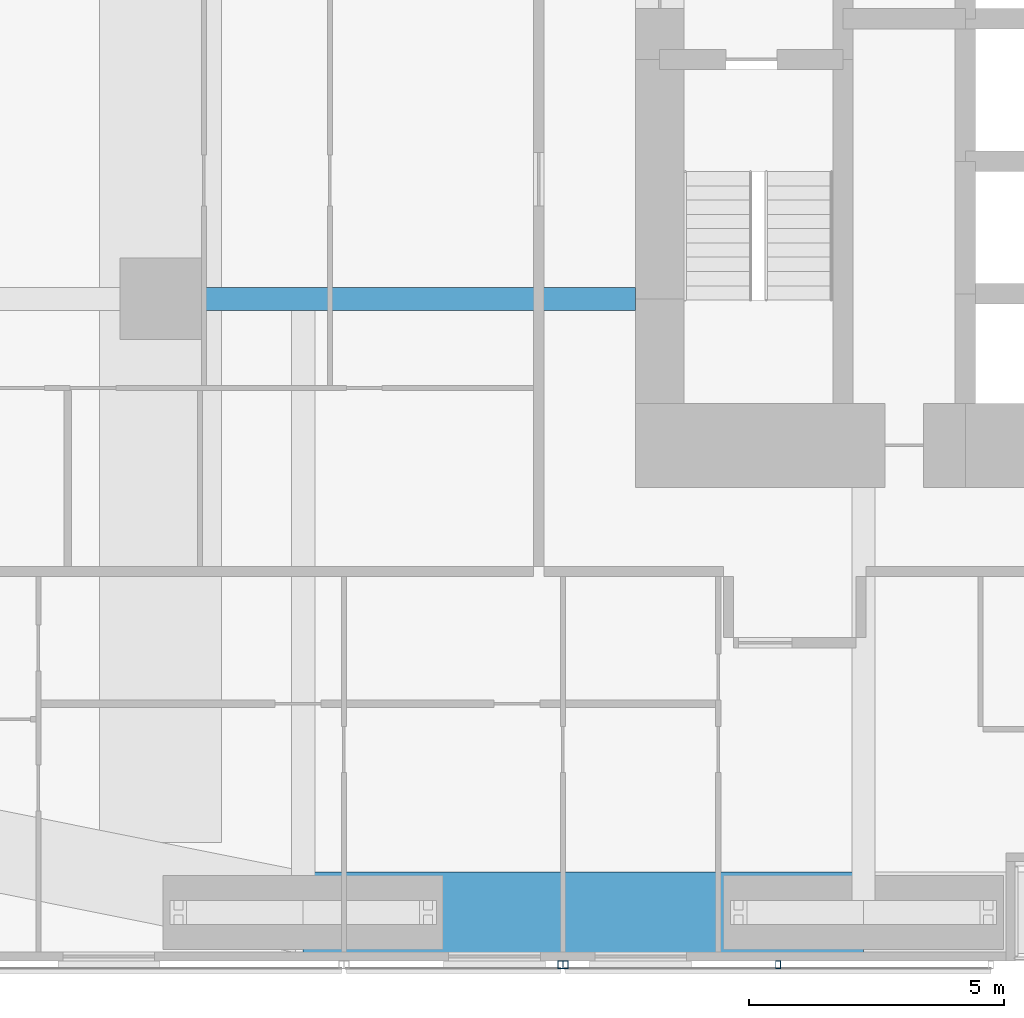
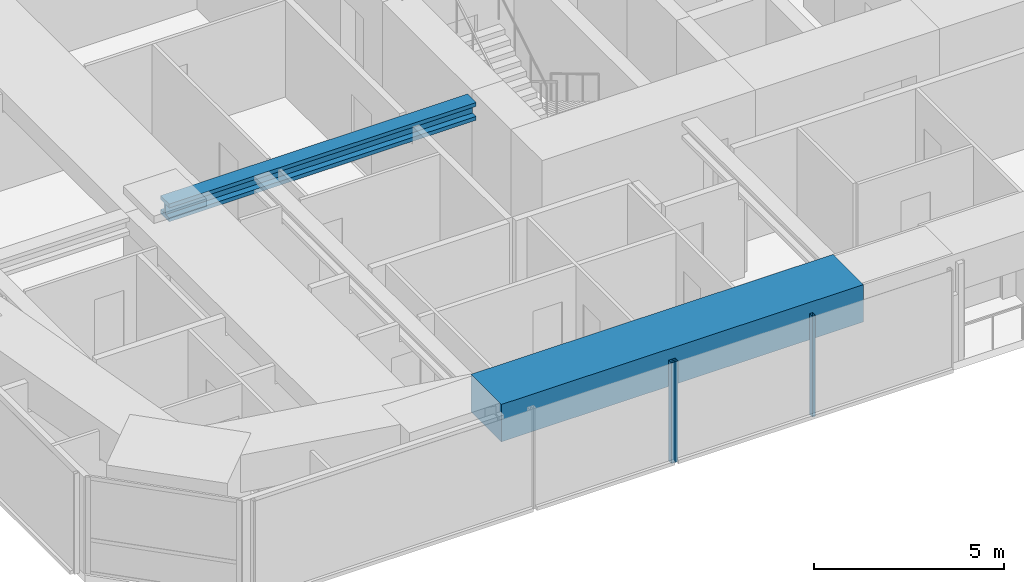
# One storey, part 4 of 24: 3 members, 2 beams, 2 elements without a shape of their own.
"""IFC4 building model written with IfcOpenShell, lengths in metres."""

import ifcopenshell
import ifcopenshell.guid

model = None  # the IFC model being written
_history = None  # IfcOwnerHistory: only IFC2X3 demands one
_inside = {}  # id of a spatial element -> (the spatial element, [elements in it])
_under = {}  # id of a project, library or spatial element -> (it, [spatial elements below it])
_declared = {}  # id of a project -> (the project, [libraries it declares])
_typed = {}  # id of a type object -> (the type object, [elements of that type])
_made_of = {}  # id of a material, layer set ... -> (it, [elements and type objects made of it])


def new_model(schema):
    """Start an empty IFC model of exactly this schema.

    Asked for "IFC4X3", IfcOpenShell would pick the latest addendum, in which some entities
    have other attributes; the version numbers below select the first issue.
    IFC2X3 requires an IfcOwnerHistory on every rooted entity: one is made here for all.
    """
    global model, _history
    if schema == "IFC4X3":
        model = ifcopenshell.file(schema_version=(4, 3, 0, 0))
    else:
        model = ifcopenshell.file(schema=schema)
    _inside.clear()
    _under.clear()
    _declared.clear()
    _typed.clear()
    _made_of.clear()
    _history = None
    if model.schema == "IFC2X3":
        org = make("IfcOrganization", Name="unknown")
        user = make(
            "IfcPersonAndOrganization",
            ThePerson=make("IfcPerson", FamilyName="unknown"),
            TheOrganization=org,
        )
        app = make(
            "IfcApplication",
            ApplicationDeveloper=org,
            Version="unknown",
            ApplicationFullName="unknown",
            ApplicationIdentifier="unknown",
        )
        _history = make(
            "IfcOwnerHistory",
            OwningUser=user,
            OwningApplication=app,
            ChangeAction="ADDED",
            CreationDate=0,
        )
    return model


def make(cls, **values):
    """One entity of the class cls with the attributes given. An attribute that is None is left unset."""
    return model.create_entity(
        cls, **{name: value for name, value in values.items() if value is not None}
    )


def rooted(cls, **values):
    """An entity with a GlobalId (a new one), such as an element, a storey or a relation."""
    return make(cls, GlobalId=ifcopenshell.guid.new(), OwnerHistory=_history, **values)


def si_unit(unit_type, name, prefix=None):
    """IfcSIUnit, for example si_unit("LENGTHUNIT", "METRE", prefix="MILLI")."""
    return make("IfcSIUnit", UnitType=unit_type, Prefix=prefix, Name=name)


def assignment(units):
    """IfcUnitAssignment: the units of a project."""
    return None if units is None else make("IfcUnitAssignment", Units=units)


def point(xyz):
    """IfcCartesianPoint."""
    return None if xyz is None else make("IfcCartesianPoint", Coordinates=xyz)


def direction(xyz):
    """IfcDirection."""
    return None if xyz is None else make("IfcDirection", DirectionRatios=xyz)


def frame(location, z_axis=None, x_axis=None):
    """IfcAxis2Placement3D, a coordinate frame: its origin and axes. An axis left out is left unset."""
    return make(
        "IfcAxis2Placement3D",
        Location=point(location),
        Axis=direction(z_axis),
        RefDirection=direction(x_axis),
    )


def frame_2d(location, x_axis=None):
    """IfcAxis2Placement2D, a coordinate frame in the plane: its origin and x axis."""
    return make(
        "IfcAxis2Placement2D", Location=point(location), RefDirection=direction(x_axis)
    )


def origin():
    """The frame at (0, 0, 0) with its axes left unset."""
    return frame((0.0, 0.0, 0.0))


def origin_2d():
    """The frame at (0, 0) in the plane with its x axis left unset."""
    return frame_2d((0.0, 0.0))


def place(relative_to, where):
    """IfcLocalPlacement: puts the frame where relative to a parent placement (None: the world)."""
    return make(
        "IfcLocalPlacement", PlacementRelTo=relative_to, RelativePlacement=where
    )


def context(
    kind, dimensions, precision=None, world=None, true_north=None, identifier=None
):
    """IfcGeometricRepresentationContext, for example the 3D "Model" context."""
    return make(
        "IfcGeometricRepresentationContext",
        ContextIdentifier=identifier,
        ContextType=kind,
        CoordinateSpaceDimension=dimensions,
        Precision=precision,
        WorldCoordinateSystem=world,
        TrueNorth=true_north,
    )


def subcontext(parent, identifier, kind, view, scale=None):
    """IfcGeometricRepresentationSubContext, for example "Body" below "Model"."""
    return make(
        "IfcGeometricRepresentationSubContext",
        ContextIdentifier=identifier,
        ContextType=kind,
        ParentContext=parent,
        TargetScale=scale,
        TargetView=view,
    )


def project(units=None, contexts=None):
    """IfcProject with its units and contexts."""
    return rooted(
        "IfcProject",
        Name="project",
        RepresentationContexts=contexts,
        UnitsInContext=assignment(units),
    )


def spatial(cls, under=None, at=None, **own):
    """A site, building, storey or space (cls), placed at a placement, below another one or the project."""
    s = rooted(cls, ObjectPlacement=at, **own)
    if under is not None:
        _under.setdefault(under.id(), (under, []))[1].append(s)
    return s


def profile(cls, at=None, kind="AREA", **sizes):
    """A parametric profile (cls). Its sizes go by their IFC names, for example OverallWidth=200.0."""
    return make(cls, ProfileType=kind, Position=at, **sizes)


def rectangle(**sizes):
    """IfcRectangleProfileDef."""
    return profile("IfcRectangleProfileDef", **sizes)


def hollow_rectangle(**sizes):
    """IfcRectangleHollowProfileDef."""
    return profile("IfcRectangleHollowProfileDef", **sizes)


def i_section(**sizes):
    """IfcIShapeProfileDef."""
    return profile("IfcIShapeProfileDef", **sizes)


def extrude(swept, where, along, depth):
    """IfcExtrudedAreaSolid: the profile swept, set in the frame where, extruded along a direction by depth."""
    return make(
        "IfcExtrudedAreaSolid",
        SweptArea=swept,
        Position=where,
        ExtrudedDirection=direction(along),
        Depth=depth,
    )


def shape(context_of_items, identifier, shape_type, items):
    """IfcShapeRepresentation: the items that make up one representation, for example the "Body"."""
    return make(
        "IfcShapeRepresentation",
        ContextOfItems=context_of_items,
        RepresentationIdentifier=identifier,
        RepresentationType=shape_type,
        Items=items,
    )


def material(Name=None, Category=None):
    """IfcMaterial."""
    return make("IfcMaterial", Name=Name, Category=Category)


def material_profile(
    of_material, cross_section, Name=None, Category=None, Priority=None
):
    """IfcMaterialProfile: a cross section and its material."""
    return make(
        "IfcMaterialProfile",
        Name=Name,
        Material=of_material,
        Profile=cross_section,
        Priority=Priority,
        Category=Category,
    )


def profile_set(profiles, Name=None, composite=None):
    """IfcMaterialProfileSet."""
    return make(
        "IfcMaterialProfileSet",
        Name=Name,
        MaterialProfiles=profiles,
        CompositeProfile=composite,
    )


def made_of(thing, what):
    """Note that an element or type object is made of a material, layer set ...; save() writes the relation."""
    if what is not None:
        _made_of.setdefault(what.id(), (what, []))[1].append(thing)
    return thing


def type_object(cls, material=None, **own):
    """A type object (cls), such as IfcWallType, which elements share."""
    return made_of(rooted(cls, **own), material)


def element(
    cls,
    number,
    at=None,
    inside=None,
    cuts=None,
    type_object=None,
    material=None,
    context=None,
    identifier="Body",
    shape_type=None,
    held_by="IfcProductDefinitionShape",
    body=None,
    shapes=None,
    **own,
):
    """One element of the class cls, such as IfcWall. Its Tag is "e" and its number.

    at: its placement. inside: the storey or other place that contains it. cuts: it is an
    opening in that element (IfcRelVoidsElement). A single representation is given by context,
    identifier, shape_type and body (its items); several are given by shapes. held_by: the class
    of the entity that holds the representations. save() writes the other relations.
    """
    e = rooted(cls, Tag="e%d" % number, ObjectPlacement=at, **own)
    if body is not None:
        shapes = [shape(context, identifier, shape_type, body)]
    if shapes is not None:
        e.Representation = make(held_by, Representations=shapes)
    if inside is not None:
        _inside.setdefault(inside.id(), (inside, []))[1].append(e)
    if cuts is not None:
        rooted(
            "IfcRelVoidsElement", RelatingBuildingElement=cuts, RelatedOpeningElement=e
        )
    if type_object is not None:
        _typed.setdefault(type_object.id(), (type_object, []))[1].append(e)
    return made_of(e, material)


def aggregate(whole, parts):
    """IfcRelAggregates: a whole, such as a stair, and the parts it consists of."""
    return rooted("IfcRelAggregates", RelatingObject=whole, RelatedObjects=parts)


def save(model, path):
    """Write the relations noted so far, then the file.

    IfcRelAggregates (storeys below a building ...), IfcRelContainedInSpatialStructure (elements
    in a storey), IfcRelDefinesByType, IfcRelAssociatesMaterial and IfcRelDeclares: one each for
    every whole, place, type object, material and project.
    """
    for whole, parts in _under.values():
        aggregate(whole, parts)
    for where, things in _inside.values():
        rooted(
            "IfcRelContainedInSpatialStructure",
            RelatedElements=things,
            RelatingStructure=where,
        )
    for kind, things in _typed.values():
        rooted("IfcRelDefinesByType", RelatedObjects=things, RelatingType=kind)
    for what, things in _made_of.values():
        rooted("IfcRelAssociatesMaterial", RelatedObjects=things, RelatingMaterial=what)
    for by, libraries in _declared.values():
        rooted("IfcRelDeclares", RelatingContext=by, RelatedDefinitions=libraries)
    model.write(path)


model = new_model("IFC4")

# Units and contexts
model_context = context("Model", 3, precision=1e-05, world=origin(), true_north=direction((0.0, 1.0)))
body_context = subcontext(model_context, "Body", "Model", "MODEL_VIEW")
ifc_project = project(units=[si_unit("LENGTHUNIT", "METRE"), si_unit("AREAUNIT", "SQUARE_METRE"), si_unit("VOLUMEUNIT", "CUBIC_METRE"), si_unit("PLANEANGLEUNIT", "RADIAN"), si_unit("MASSUNIT", "GRAM", prefix="KILO")], contexts=[model_context])

# Site, building, storey
site_placement = place(None, origin())
site = spatial("IfcSite", under=ifc_project, at=site_placement, CompositionType="ELEMENT")
building_placement = place(site_placement, origin())
building = spatial("IfcBuilding", under=site, at=building_placement, Name="Jalousie Tower", CompositionType="ELEMENT")
storey_placement = place(building_placement, frame((0.0, 0.0, 61.199951171875)))
storey = spatial("IfcBuildingStorey", under=building, at=storey_placement, Name="L16", CompositionType="ELEMENT", Elevation=61.199951171875)

# Beams
ifc_material_1 = material(Name="Steel ASTM A992 Grade 50", Category="steel")
ifc_material_profile_1 = material_profile(ifc_material_1, i_section(OverallWidth=0.45458984375, OverallDepth=0.569091796875, WebThickness=0.077880859375, FlangeThickness=0.124755859375, at=origin_2d()), Name="W14X730")
ifc_profile_set_1 = profile_set([ifc_material_profile_1], Name="Steel ASTM A992 Grade 50")
beam_type_1 = type_object("IfcBeamType", Name="LEAN COLLECTOR W14X730", PredefinedType="BEAM", material=ifc_profile_set_1)
beam_1_placement = place(storey_placement, frame((10.199951171875, 13.0, 2.825439453125), z_axis=(1.0, 0.0, 0.0), x_axis=(0.0, 1.0, 0.0)))
element("IfcBeam", 1, at=beam_1_placement, inside=storey, type_object=beam_type_1, Name="Lean collector under L17", PredefinedType="BEAM", context=body_context, shape_type="SweptSolid", body=[
    extrude(i_section(OverallWidth=0.45458984375, OverallDepth=0.569091796875, WebThickness=0.077880859375, FlangeThickness=0.124755859375, at=origin_2d()), origin(), (0.0, 0.0, 1.0), 9.324951171875),
])
ifc_material_2 = material(Name="Concrete f'c 40 MPa", Category="concrete")
ifc_material_profile_2 = material_profile(ifc_material_2, rectangle(XDim=1.60009765625, YDim=1.199951171875, at=origin_2d()), Name="RC 1600x1200")
ifc_profile_set_2 = profile_set([ifc_material_profile_2], Name="Concrete f'c 40 MPa")
beam_type_2 = type_object("IfcBeamType", Name="RC BEAM 1600x1200", PredefinedType="BEAM", material=ifc_profile_set_2)
beam_2_placement = place(storey_placement, frame((13.0, 0.949951171875, 2.75), z_axis=(1.0, 0.0, 0.0), x_axis=(0.0, 1.0, 0.0)))
element("IfcBeam", 2, at=beam_2_placement, inside=storey, type_object=beam_type_2, Name="Edge band beam 02-03 under L17", PredefinedType="BEAM", context=body_context, shape_type="SweptSolid", body=[
    extrude(rectangle(XDim=1.60009765625, YDim=1.199951171875, at=origin_2d()), origin(), (0.0, 0.0, 1.0), 11.0),
])

# Curtain wall, member
ifc_material_3 = material(Name="Perforated aluminium sheet", Category="aluminium")
curtain_wall_type = type_object("IfcCurtainWallType", Name="SOLAR SCREEN SS-1", PredefinedType="USERDEFINED", material=ifc_material_3)
curtain_wall_1_placement = place(storey_placement, origin())
curtain_wall_1 = element("IfcCurtainWall", 3, at=curtain_wall_1_placement, inside=storey, type_object=curtain_wall_type, Name="Solar screen L16", ObjectType="SOLAR SCREEN SS-1", PredefinedType="USERDEFINED")
ifc_material_4 = material(Name="Steel ASTM A500 Grade C", Category="steel")
ifc_material_profile_3 = material_profile(ifc_material_4, hollow_rectangle(XDim=0.1015625, YDim=0.15234375, WallThickness=0.00634765625, at=origin_2d()), Name="HSS6X4X1/4")
ifc_profile_set_3 = profile_set([ifc_material_profile_3], Name="Steel ASTM A500 Grade C")
member_type = type_object("IfcMemberType", Name="SOLAR SCREEN SS-1 MULLION", PredefinedType="MULLION", material=ifc_profile_set_3)
member_1_placement = place(storey_placement, frame((18.050048828125, -0.0712890625, -0.119873046875), z_axis=(0.0, 0.0, 1.0), x_axis=(1.0, 0.0, 0.0)))
member_1 = element("IfcMember", 4, at=member_1_placement, type_object=member_type, Name="SS1 post 2", PredefinedType="MULLION", context=body_context, shape_type="SweptSolid", body=[
    extrude(hollow_rectangle(XDim=0.1015625, YDim=0.15234375, WallThickness=0.00634765625, at=origin_2d()), origin(), (0.0, 0.0, 1.0), 3.22998046875),
])
aggregate(curtain_wall_1, [member_1])

# Curtain wall, members
curtain_wall_2_placement = place(storey_placement, origin())
curtain_wall_2 = element("IfcCurtainWall", 5, at=curtain_wall_2_placement, inside=storey, type_object=curtain_wall_type, Name="Solar screen L16", ObjectType="SOLAR SCREEN SS-1", PredefinedType="USERDEFINED")
member_2_placement = place(storey_placement, frame((18.14990234375, -0.0712890625, -0.119873046875), z_axis=(0.0, 0.0, 1.0), x_axis=(1.0, 0.0, 0.0)))
member_2 = element("IfcMember", 6, at=member_2_placement, type_object=member_type, Name="SS1 post 1", PredefinedType="MULLION", context=body_context, shape_type="SweptSolid", body=[
    extrude(hollow_rectangle(XDim=0.1015625, YDim=0.15234375, WallThickness=0.00634765625, at=origin_2d()), origin(), (0.0, 0.0, 1.0), 3.22998046875),
])
member_3_placement = place(storey_placement, frame((22.324951171875, -0.0712890625, -0.119873046875), z_axis=(0.0, 0.0, 1.0), x_axis=(1.0, 0.0, 0.0)))
member_3 = element("IfcMember", 7, at=member_3_placement, type_object=member_type, Name="SS1 post 2", PredefinedType="MULLION", context=body_context, shape_type="SweptSolid", body=[
    extrude(hollow_rectangle(XDim=0.1015625, YDim=0.15234375, WallThickness=0.00634765625, at=origin_2d()), origin(), (0.0, 0.0, 1.0), 3.22998046875),
])
aggregate(curtain_wall_2, [member_2, member_3])

save(model, "model.ifc")
